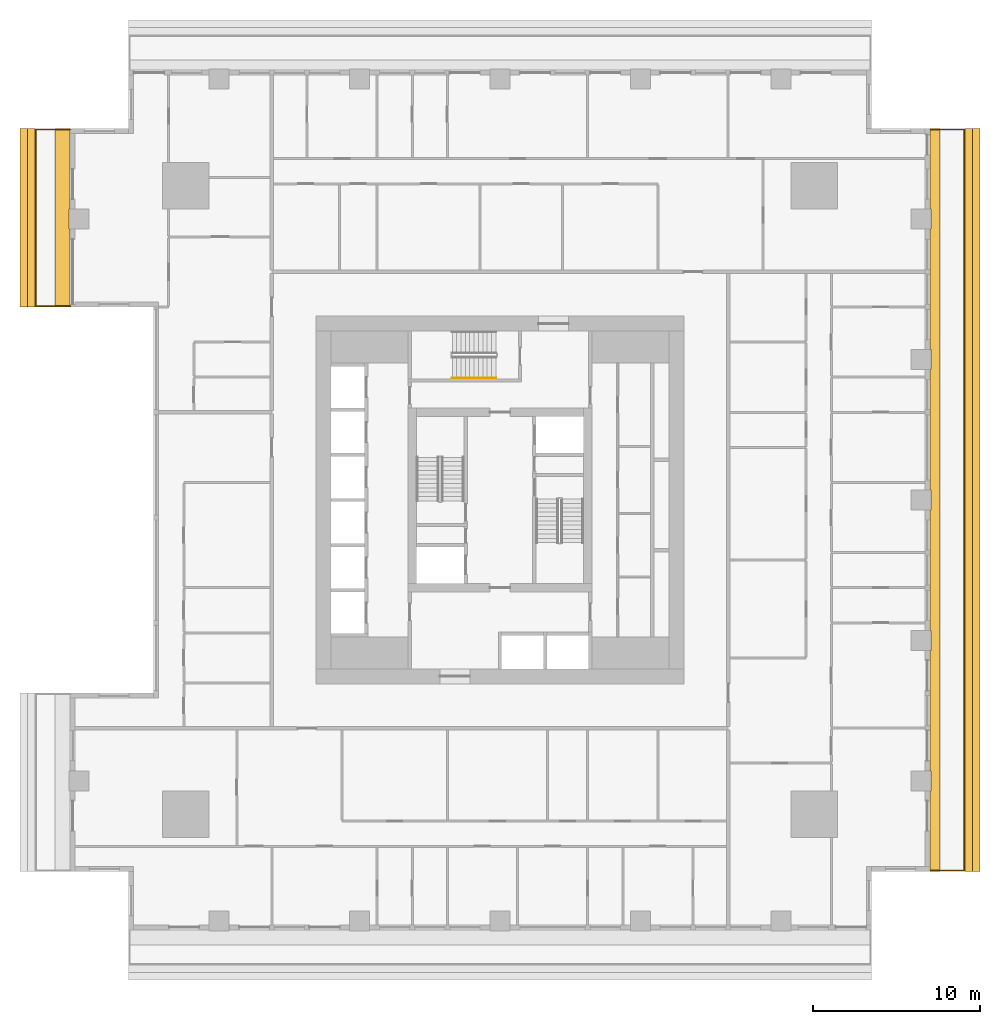
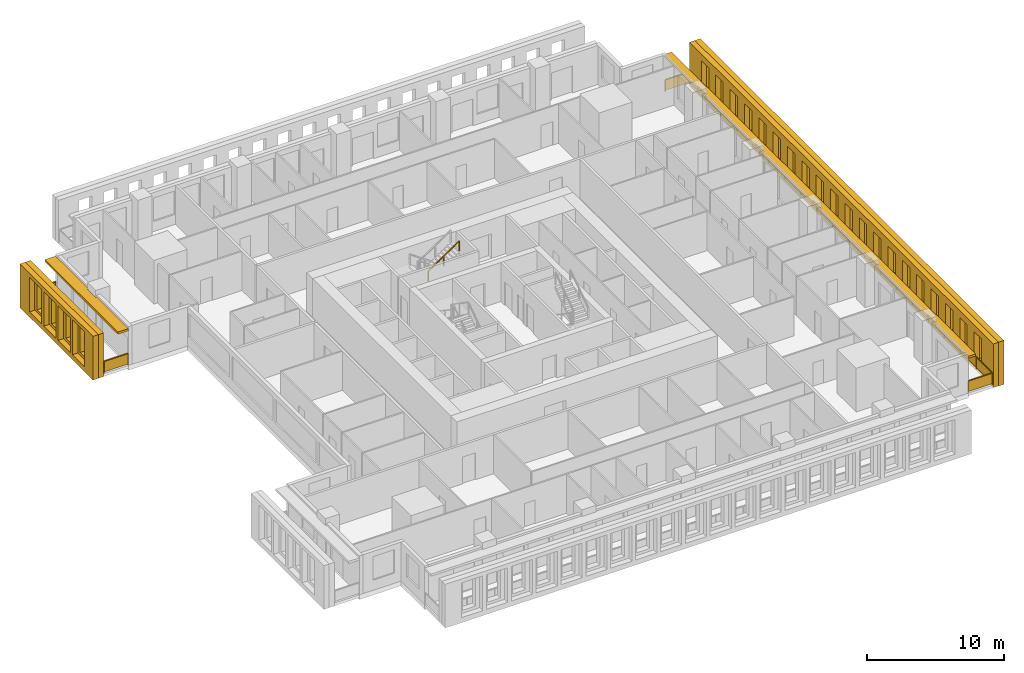
# One storey, part 12 of 14: 6 shading devices, 3 railings.
"""IFC4 building model written with IfcOpenShell, lengths in metres."""

from ifc_helpers import new_model, si_unit, direction, frame, origin, origin_2d, place, context, subcontext, project, spatial, polyline, rectangle, outline, extrude, material, layer, layer_set, type_object, element, save


model = new_model("IFC4")

# Units and contexts
model_context = context("Model", 3, precision=1e-05, world=origin(), true_north=direction((0.0, 1.0)))
body_context = subcontext(model_context, "Body", "Model", "MODEL_VIEW")
ifc_project = project(units=[si_unit("LENGTHUNIT", "METRE"), si_unit("AREAUNIT", "SQUARE_METRE"), si_unit("VOLUMEUNIT", "CUBIC_METRE"), si_unit("PLANEANGLEUNIT", "RADIAN"), si_unit("MASSUNIT", "GRAM", prefix="KILO")], contexts=[model_context])

# Site, building, storey
site_placement = place(None, origin())
site = spatial("IfcSite", under=ifc_project, at=site_placement, CompositionType="ELEMENT")
building_placement = place(site_placement, origin())
building = spatial("IfcBuilding", under=site, at=building_placement, Name="Khepri Terraces", CompositionType="ELEMENT")
storey_placement = place(building_placement, frame((0.0, 0.0, 114.300048828125)))
storey = spatial("IfcBuildingStorey", under=building, at=storey_placement, Name="L27", CompositionType="ELEMENT", Elevation=114.300048828125)

# Railings
ifc_material_1 = material(Name="Stainless steel grade 316", Category="steel")
railing_type_1 = type_object("IfcRailingType", Name="GRD-BAL-1100", PredefinedType="GUARDRAIL", material=ifc_material_1)
railing_1_placement = place(storey_placement, frame((25.719970703125, -22.169921875, 0.0)))
element("IfcRailing", 1, at=railing_1_placement, inside=storey, type_object=railing_type_1, Name="Balcony guard L27 E", PredefinedType="GUARDRAIL", context=body_context, shape_type="SweptSolid", body=[
    extrude(rectangle(XDim=0.050048828125, YDim=0.06005859375, at=origin_2d()), frame((0.0, 0.0, 1.070068359375), z_axis=(1.0, 0.0, 0.0), x_axis=(0.0, 1.0, 0.0)), (0.0, 0.0, 1.0), 2.050048828125),
    extrude(rectangle(XDim=2.0, YDim=0.011962890625, at=origin_2d()), frame((1.02490234375, 0.0, 0.10009765625), z_axis=(0.0, 0.0, 1.0), x_axis=(1.0, 0.0, 0.0)), (0.0, 0.0, 1.0), 0.93994140625),
    extrude(rectangle(XDim=0.050048828125, YDim=0.06005859375, at=origin_2d()), frame((2.050048828125, 0.0, 1.070068359375), z_axis=(0.0, 1.0, 0.0), x_axis=(-1.0, 0.0, 0.0)), (0.0, 0.0, 1.0), 44.33984375),
    extrude(rectangle(XDim=2.28369140625, YDim=0.011962890625, at=origin_2d()), frame((2.050048828125, 1.166748046875, 0.10009765625), z_axis=(0.0, 0.0, 1.0), x_axis=(0.0, 1.0, 0.0)), (0.0, 0.0, 1.0), 0.93994140625),
    extrude(rectangle(XDim=2.28369140625, YDim=0.011962890625, at=origin_2d()), frame((2.050048828125, 3.50048828125, 0.10009765625), z_axis=(0.0, 0.0, 1.0), x_axis=(0.0, 1.0, 0.0)), (0.0, 0.0, 1.0), 0.93994140625),
    extrude(rectangle(XDim=2.28369140625, YDim=0.011962890625, at=origin_2d()), frame((2.050048828125, 5.834228515625, 0.10009765625), z_axis=(0.0, 0.0, 1.0), x_axis=(0.0, 1.0, 0.0)), (0.0, 0.0, 1.0), 0.93994140625),
    extrude(rectangle(XDim=2.28369140625, YDim=0.011962890625, at=origin_2d()), frame((2.050048828125, 8.16796875, 0.10009765625), z_axis=(0.0, 0.0, 1.0), x_axis=(0.0, 1.0, 0.0)), (0.0, 0.0, 1.0), 0.93994140625),
    extrude(rectangle(XDim=2.28369140625, YDim=0.011962890625, at=origin_2d()), frame((2.050048828125, 10.50146484375, 0.10009765625), z_axis=(0.0, 0.0, 1.0), x_axis=(0.0, 1.0, 0.0)), (0.0, 0.0, 1.0), 0.93994140625),
    extrude(rectangle(XDim=2.28369140625, YDim=0.011962890625, at=origin_2d()), frame((2.050048828125, 12.835205078125, 0.10009765625), z_axis=(0.0, 0.0, 1.0), x_axis=(0.0, 1.0, 0.0)), (0.0, 0.0, 1.0), 0.93994140625),
    extrude(rectangle(XDim=2.28369140625, YDim=0.011962890625, at=origin_2d()), frame((2.050048828125, 15.1689453125, 0.10009765625), z_axis=(0.0, 0.0, 1.0), x_axis=(0.0, 1.0, 0.0)), (0.0, 0.0, 1.0), 0.93994140625),
    extrude(rectangle(XDim=2.28369140625, YDim=0.011962890625, at=origin_2d()), frame((2.050048828125, 17.502685546875, 0.10009765625), z_axis=(0.0, 0.0, 1.0), x_axis=(0.0, 1.0, 0.0)), (0.0, 0.0, 1.0), 0.93994140625),
    extrude(rectangle(XDim=2.28369140625, YDim=0.011962890625, at=origin_2d()), frame((2.050048828125, 19.836181640625, 0.10009765625), z_axis=(0.0, 0.0, 1.0), x_axis=(0.0, 1.0, 0.0)), (0.0, 0.0, 1.0), 0.93994140625),
    extrude(rectangle(XDim=2.28369140625, YDim=0.011962890625, at=origin_2d()), frame((2.050048828125, 22.169921875, 0.10009765625), z_axis=(0.0, 0.0, 1.0), x_axis=(0.0, 1.0, 0.0)), (0.0, 0.0, 1.0), 0.93994140625),
    extrude(rectangle(XDim=2.28369140625, YDim=0.011962890625, at=origin_2d()), frame((2.050048828125, 24.503662109375, 0.10009765625), z_axis=(0.0, 0.0, 1.0), x_axis=(0.0, 1.0, 0.0)), (0.0, 0.0, 1.0), 0.93994140625),
    extrude(rectangle(XDim=2.28369140625, YDim=0.011962890625, at=origin_2d()), frame((2.050048828125, 26.837158203125, 0.10009765625), z_axis=(0.0, 0.0, 1.0), x_axis=(0.0, 1.0, 0.0)), (0.0, 0.0, 1.0), 0.93994140625),
    extrude(rectangle(XDim=2.28369140625, YDim=0.011962890625, at=origin_2d()), frame((2.050048828125, 29.1708984375, 0.10009765625), z_axis=(0.0, 0.0, 1.0), x_axis=(0.0, 1.0, 0.0)), (0.0, 0.0, 1.0), 0.93994140625),
    extrude(rectangle(XDim=2.28369140625, YDim=0.011962890625, at=origin_2d()), frame((2.050048828125, 31.504638671875, 0.10009765625), z_axis=(0.0, 0.0, 1.0), x_axis=(0.0, 1.0, 0.0)), (0.0, 0.0, 1.0), 0.93994140625),
    extrude(rectangle(XDim=2.28369140625, YDim=0.011962890625, at=origin_2d()), frame((2.050048828125, 33.83837890625, 0.10009765625), z_axis=(0.0, 0.0, 1.0), x_axis=(0.0, 1.0, 0.0)), (0.0, 0.0, 1.0), 0.93994140625),
    extrude(rectangle(XDim=2.28369140625, YDim=0.011962890625, at=origin_2d()), frame((2.050048828125, 36.171875, 0.10009765625), z_axis=(0.0, 0.0, 1.0), x_axis=(0.0, 1.0, 0.0)), (0.0, 0.0, 1.0), 0.93994140625),
    extrude(rectangle(XDim=2.28369140625, YDim=0.011962890625, at=origin_2d()), frame((2.050048828125, 38.505615234375, 0.10009765625), z_axis=(0.0, 0.0, 1.0), x_axis=(0.0, 1.0, 0.0)), (0.0, 0.0, 1.0), 0.93994140625),
    extrude(rectangle(XDim=2.28369140625, YDim=0.011962890625, at=origin_2d()), frame((2.050048828125, 40.83935546875, 0.10009765625), z_axis=(0.0, 0.0, 1.0), x_axis=(0.0, 1.0, 0.0)), (0.0, 0.0, 1.0), 0.93994140625),
    extrude(rectangle(XDim=2.28369140625, YDim=0.011962890625, at=origin_2d()), frame((2.050048828125, 43.173095703125, 0.10009765625), z_axis=(0.0, 0.0, 1.0), x_axis=(0.0, 1.0, 0.0)), (0.0, 0.0, 1.0), 0.93994140625),
    extrude(rectangle(XDim=0.050048828125, YDim=0.06005859375, at=origin_2d()), frame((2.050048828125, 44.33984375, 1.070068359375), z_axis=(-1.0, 0.0, 0.0), x_axis=(0.0, -1.0, 0.0)), (0.0, 0.0, 1.0), 2.050048828125),
    extrude(rectangle(XDim=2.0, YDim=0.011962890625, at=origin_2d()), frame((1.02490234375, 44.33984375, 0.10009765625), z_axis=(0.0, 0.0, 1.0), x_axis=(-1.0, 0.0, 0.0)), (0.0, 0.0, 1.0), 0.93994140625),
    extrude(rectangle(XDim=0.050048828125, YDim=0.050048828125, at=origin_2d()), origin(), (0.0, 0.0, 1.0), 1.0400390625),
    extrude(rectangle(XDim=0.050048828125, YDim=0.050048828125, at=origin_2d()), frame((2.050048828125, 0.0, 0.0)), (0.0, 0.0, 1.0), 1.0400390625),
    extrude(rectangle(XDim=0.050048828125, YDim=0.050048828125, at=origin_2d()), frame((2.050048828125, 2.333740234375, 0.0)), (0.0, 0.0, 1.0), 1.0400390625),
    extrude(rectangle(XDim=0.050048828125, YDim=0.050048828125, at=origin_2d()), frame((2.050048828125, 4.667236328125, 0.0)), (0.0, 0.0, 1.0), 1.0400390625),
    extrude(rectangle(XDim=0.050048828125, YDim=0.050048828125, at=origin_2d()), frame((2.050048828125, 7.0009765625, 0.0)), (0.0, 0.0, 1.0), 1.0400390625),
    extrude(rectangle(XDim=0.050048828125, YDim=0.050048828125, at=origin_2d()), frame((2.050048828125, 9.334716796875, 0.0)), (0.0, 0.0, 1.0), 1.0400390625),
    extrude(rectangle(XDim=0.050048828125, YDim=0.050048828125, at=origin_2d()), frame((2.050048828125, 11.66845703125, 0.0)), (0.0, 0.0, 1.0), 1.0400390625),
    extrude(rectangle(XDim=0.050048828125, YDim=0.050048828125, at=origin_2d()), frame((2.050048828125, 14.001953125, 0.0)), (0.0, 0.0, 1.0), 1.0400390625),
    extrude(rectangle(XDim=0.050048828125, YDim=0.050048828125, at=origin_2d()), frame((2.050048828125, 16.335693359375, 0.0)), (0.0, 0.0, 1.0), 1.0400390625),
    extrude(rectangle(XDim=0.050048828125, YDim=0.050048828125, at=origin_2d()), frame((2.050048828125, 18.66943359375, 0.0)), (0.0, 0.0, 1.0), 1.0400390625),
    extrude(rectangle(XDim=0.050048828125, YDim=0.050048828125, at=origin_2d()), frame((2.050048828125, 21.003173828125, 0.0)), (0.0, 0.0, 1.0), 1.0400390625),
    extrude(rectangle(XDim=0.050048828125, YDim=0.050048828125, at=origin_2d()), frame((2.050048828125, 23.336669921875, 0.0)), (0.0, 0.0, 1.0), 1.0400390625),
    extrude(rectangle(XDim=0.050048828125, YDim=0.050048828125, at=origin_2d()), frame((2.050048828125, 25.67041015625, 0.0)), (0.0, 0.0, 1.0), 1.0400390625),
    extrude(rectangle(XDim=0.050048828125, YDim=0.050048828125, at=origin_2d()), frame((2.050048828125, 28.004150390625, 0.0)), (0.0, 0.0, 1.0), 1.0400390625),
    extrude(rectangle(XDim=0.050048828125, YDim=0.050048828125, at=origin_2d()), frame((2.050048828125, 30.337890625, 0.0)), (0.0, 0.0, 1.0), 1.0400390625),
    extrude(rectangle(XDim=0.050048828125, YDim=0.050048828125, at=origin_2d()), frame((2.050048828125, 32.67138671875, 0.0)), (0.0, 0.0, 1.0), 1.0400390625),
    extrude(rectangle(XDim=0.050048828125, YDim=0.050048828125, at=origin_2d()), frame((2.050048828125, 35.005126953125, 0.0)), (0.0, 0.0, 1.0), 1.0400390625),
    extrude(rectangle(XDim=0.050048828125, YDim=0.050048828125, at=origin_2d()), frame((2.050048828125, 37.3388671875, 0.0)), (0.0, 0.0, 1.0), 1.0400390625),
    extrude(rectangle(XDim=0.050048828125, YDim=0.050048828125, at=origin_2d()), frame((2.050048828125, 39.672607421875, 0.0)), (0.0, 0.0, 1.0), 1.0400390625),
    extrude(rectangle(XDim=0.050048828125, YDim=0.050048828125, at=origin_2d()), frame((2.050048828125, 42.006103515625, 0.0)), (0.0, 0.0, 1.0), 1.0400390625),
    extrude(rectangle(XDim=0.050048828125, YDim=0.050048828125, at=origin_2d()), frame((2.050048828125, 44.33984375, 0.0)), (0.0, 0.0, 1.0), 1.0400390625),
    extrude(rectangle(XDim=0.050048828125, YDim=0.050048828125, at=origin_2d()), frame((0.0, 44.33984375, 0.0)), (0.0, 0.0, 1.0), 1.0400390625),
])
railing_2_placement = place(storey_placement, frame((-25.719970703125, 22.169921875, 0.0)))
element("IfcRailing", 2, at=railing_2_placement, inside=storey, type_object=railing_type_1, Name="Balcony guard L27 W", PredefinedType="GUARDRAIL", context=body_context, shape_type="SweptSolid", body=[
    extrude(rectangle(XDim=0.050048828125, YDim=0.06005859375, at=origin_2d()), frame((0.0, 0.0, 1.070068359375), z_axis=(-1.0, 0.0, 0.0), x_axis=(0.0, -1.0, 0.0)), (0.0, 0.0, 1.0), 2.050048828125),
    extrude(rectangle(XDim=2.0, YDim=0.011962890625, at=origin_2d()), frame((-1.02490234375, 0.0, 0.10009765625), z_axis=(0.0, 0.0, 1.0), x_axis=(-1.0, 0.0, 0.0)), (0.0, 0.0, 1.0), 0.93994140625),
    extrude(rectangle(XDim=0.050048828125, YDim=0.06005859375, at=origin_2d()), frame((-2.050048828125, 0.0, 1.070068359375), z_axis=(0.0, -1.0, 0.0), x_axis=(1.0, 0.0, 0.0)), (0.0, 0.0, 1.0), 10.56982421875),
    extrude(rectangle(XDim=2.06396484375, YDim=0.011962890625, at=origin_2d()), frame((-2.050048828125, -1.056884765625, 0.10009765625), z_axis=(0.0, 0.0, 1.0), x_axis=(0.0, -1.0, 0.0)), (0.0, 0.0, 1.0), 0.93994140625),
    extrude(rectangle(XDim=2.06396484375, YDim=0.011962890625, at=origin_2d()), frame((-2.050048828125, -3.1708984375, 0.10009765625), z_axis=(0.0, 0.0, 1.0), x_axis=(0.0, -1.0, 0.0)), (0.0, 0.0, 1.0), 0.93994140625),
    extrude(rectangle(XDim=2.06396484375, YDim=0.011962890625, at=origin_2d()), frame((-2.050048828125, -5.284912109375, 0.10009765625), z_axis=(0.0, 0.0, 1.0), x_axis=(0.0, -1.0, 0.0)), (0.0, 0.0, 1.0), 0.93994140625),
    extrude(rectangle(XDim=2.06396484375, YDim=0.011962890625, at=origin_2d()), frame((-2.050048828125, -7.39892578125, 0.10009765625), z_axis=(0.0, 0.0, 1.0), x_axis=(0.0, -1.0, 0.0)), (0.0, 0.0, 1.0), 0.93994140625),
    extrude(rectangle(XDim=2.06396484375, YDim=0.011962890625, at=origin_2d()), frame((-2.050048828125, -9.512939453125, 0.10009765625), z_axis=(0.0, 0.0, 1.0), x_axis=(0.0, -1.0, 0.0)), (0.0, 0.0, 1.0), 0.93994140625),
    extrude(rectangle(XDim=0.050048828125, YDim=0.06005859375, at=origin_2d()), frame((-2.050048828125, -10.56982421875, 1.070068359375), z_axis=(1.0, 0.0, 0.0), x_axis=(0.0, 1.0, 0.0)), (0.0, 0.0, 1.0), 2.050048828125),
    extrude(rectangle(XDim=2.0, YDim=0.011962890625, at=origin_2d()), frame((-1.02490234375, -10.56982421875, 0.10009765625), z_axis=(0.0, 0.0, 1.0), x_axis=(1.0, 0.0, 0.0)), (0.0, 0.0, 1.0), 0.93994140625),
    extrude(rectangle(XDim=0.050048828125, YDim=0.050048828125, at=origin_2d()), origin(), (0.0, 0.0, 1.0), 1.0400390625),
    extrude(rectangle(XDim=0.050048828125, YDim=0.050048828125, at=origin_2d()), frame((-2.050048828125, 0.0, 0.0)), (0.0, 0.0, 1.0), 1.0400390625),
    extrude(rectangle(XDim=0.050048828125, YDim=0.050048828125, at=origin_2d()), frame((-2.050048828125, -2.114013671875, 0.0)), (0.0, 0.0, 1.0), 1.0400390625),
    extrude(rectangle(XDim=0.050048828125, YDim=0.050048828125, at=origin_2d()), frame((-2.050048828125, -4.22802734375, 0.0)), (0.0, 0.0, 1.0), 1.0400390625),
    extrude(rectangle(XDim=0.050048828125, YDim=0.050048828125, at=origin_2d()), frame((-2.050048828125, -6.341796875, 0.0)), (0.0, 0.0, 1.0), 1.0400390625),
    extrude(rectangle(XDim=0.050048828125, YDim=0.050048828125, at=origin_2d()), frame((-2.050048828125, -8.455810546875, 0.0)), (0.0, 0.0, 1.0), 1.0400390625),
    extrude(rectangle(XDim=0.050048828125, YDim=0.050048828125, at=origin_2d()), frame((-2.050048828125, -10.56982421875, 0.0)), (0.0, 0.0, 1.0), 1.0400390625),
    extrude(rectangle(XDim=0.050048828125, YDim=0.050048828125, at=origin_2d()), frame((0.0, -10.56982421875, 0.0)), (0.0, 0.0, 1.0), 1.0400390625),
])
ifc_material_2 = material(Name="Stainless steel 316", Category="steel")
railing_type_2 = type_object("IfcRailingType", Name="RL-CORE-HANDRAIL", PredefinedType="HANDRAIL", material=ifc_material_2)
railing_3_placement = place(storey_placement, frame((-2.85009765625, 7.300048828125, 2.127197265625)))
element("IfcRailing", 3, at=railing_3_placement, inside=storey, type_object=railing_type_2, Name="L27 ST-3 stair handrail 2", PredefinedType="HANDRAIL", context=body_context, shape_type="SweptSolid", body=[
    extrude(rectangle(XDim=0.050048828125, YDim=0.050048828125, at=origin_2d()), frame((0.0, 0.0, 0.875), z_axis=(0.826240473404, 0.0, 0.563317565952), x_axis=(0.0, 1.0, 0.0)), (0.0, 0.0, 1.0), 3.14697265625),
    extrude(rectangle(XDim=0.050048828125, YDim=0.050048828125, at=origin_2d()), origin(), (0.0, 0.0, 1.0), 0.849853515625),
    extrude(rectangle(XDim=0.050048828125, YDim=0.050048828125, at=origin_2d()), frame((1.300048828125, 0.0, 0.88623046875)), (0.0, 0.0, 1.0), 0.849853515625),
    extrude(rectangle(XDim=0.050048828125, YDim=0.050048828125, at=origin_2d()), frame((2.60009765625, 0.0, 1.772705078125)), (0.0, 0.0, 1.0), 0.849853515625),
])

# Shading devices
ifc_material_3 = material(Name="Precast concrete C50/60 warm stone", Category="masonry")
shading_device_type_1 = type_object("IfcShadingDeviceType", Name="SCR-CELL-INNER-450", PredefinedType="USERDEFINED", material=ifc_material_3)
shading_device_1_placement = place(storey_placement, frame((27.820068359375, -22.219970703125, -0.25), z_axis=(1.0, 0.0, 0.0), x_axis=(0.0, 1.0, 0.0)))
element("IfcShadingDevice", 4, at=shading_device_1_placement, inside=storey, type_object=shading_device_type_1, Name="Cell screen L27 E in", ObjectType="SCREEN", PredefinedType="USERDEFINED", context=body_context, shape_type="SweptSolid", body=[
    extrude(outline(polyline([(0.0, 0.0), (44.43994140625, 0.0), (44.43994140625, 3.89990234375), (0.0, 3.89990234375), (0.0, 0.0)]), holes=[polyline([(1.7265625, 0.699951171875), (2.8134765625, 0.699951171875), (2.8134765625, 3.300048828125), (1.7265625, 3.300048828125), (1.7265625, 0.699951171875)]), polyline([(3.82666015625, 0.699951171875), (4.913330078125, 0.699951171875), (4.913330078125, 3.300048828125), (3.82666015625, 3.300048828125), (3.82666015625, 0.699951171875)]), polyline([(5.926513671875, 0.699951171875), (7.013427734375, 0.699951171875), (7.013427734375, 3.300048828125), (5.926513671875, 3.300048828125), (5.926513671875, 0.699951171875)]), polyline([(8.026611328125, 0.699951171875), (9.11328125, 0.699951171875), (9.11328125, 3.300048828125), (8.026611328125, 3.300048828125), (8.026611328125, 0.699951171875)]), polyline([(10.126708984375, 0.699951171875), (11.21337890625, 0.699951171875), (11.21337890625, 3.300048828125), (10.126708984375, 3.300048828125), (10.126708984375, 0.699951171875)]), polyline([(12.2265625, 0.699951171875), (13.3134765625, 0.699951171875), (13.3134765625, 3.300048828125), (12.2265625, 3.300048828125), (12.2265625, 0.699951171875)]), polyline([(14.32666015625, 0.699951171875), (15.413330078125, 0.699951171875), (15.413330078125, 3.300048828125), (14.32666015625, 3.300048828125), (14.32666015625, 0.699951171875)]), polyline([(16.426513671875, 0.699951171875), (17.513427734375, 0.699951171875), (17.513427734375, 3.300048828125), (16.426513671875, 3.300048828125), (16.426513671875, 0.699951171875)]), polyline([(18.526611328125, 0.699951171875), (19.61328125, 0.699951171875), (19.61328125, 3.300048828125), (18.526611328125, 3.300048828125), (18.526611328125, 0.699951171875)]), polyline([(20.626708984375, 0.699951171875), (21.71337890625, 0.699951171875), (21.71337890625, 3.300048828125), (20.626708984375, 3.300048828125), (20.626708984375, 0.699951171875)]), polyline([(22.7265625, 0.699951171875), (23.8134765625, 0.699951171875), (23.8134765625, 3.300048828125), (22.7265625, 3.300048828125), (22.7265625, 0.699951171875)]), polyline([(24.82666015625, 0.699951171875), (25.913330078125, 0.699951171875), (25.913330078125, 3.300048828125), (24.82666015625, 3.300048828125), (24.82666015625, 0.699951171875)]), polyline([(26.926513671875, 0.699951171875), (28.013427734375, 0.699951171875), (28.013427734375, 3.300048828125), (26.926513671875, 3.300048828125), (26.926513671875, 0.699951171875)]), polyline([(29.026611328125, 0.699951171875), (30.11328125, 0.699951171875), (30.11328125, 3.300048828125), (29.026611328125, 3.300048828125), (29.026611328125, 0.699951171875)]), polyline([(31.126708984375, 0.699951171875), (32.21337890625, 0.699951171875), (32.21337890625, 3.300048828125), (31.126708984375, 3.300048828125), (31.126708984375, 0.699951171875)]), polyline([(33.2265625, 0.699951171875), (34.3134765625, 0.699951171875), (34.3134765625, 3.300048828125), (33.2265625, 3.300048828125), (33.2265625, 0.699951171875)]), polyline([(35.32666015625, 0.699951171875), (36.413330078125, 0.699951171875), (36.413330078125, 3.300048828125), (35.32666015625, 3.300048828125), (35.32666015625, 0.699951171875)]), polyline([(37.426513671875, 0.699951171875), (38.513427734375, 0.699951171875), (38.513427734375, 3.300048828125), (37.426513671875, 3.300048828125), (37.426513671875, 0.699951171875)]), polyline([(39.526611328125, 0.699951171875), (40.61328125, 0.699951171875), (40.61328125, 3.300048828125), (39.526611328125, 3.300048828125), (39.526611328125, 0.699951171875)]), polyline([(41.626708984375, 0.699951171875), (42.71337890625, 0.699951171875), (42.71337890625, 3.300048828125), (41.626708984375, 3.300048828125), (41.626708984375, 0.699951171875)])]), origin(), (0.0, 0.0, 1.0), 0.449951171875),
])
shading_device_2_placement = place(storey_placement, frame((-27.820068359375, 22.219970703125, -0.25), z_axis=(-1.0, 0.0, 0.0), x_axis=(0.0, -1.0, 0.0)))
element("IfcShadingDevice", 5, at=shading_device_2_placement, inside=storey, type_object=shading_device_type_1, Name="Cell screen L27 W in", ObjectType="SCREEN", PredefinedType="USERDEFINED", context=body_context, shape_type="SweptSolid", body=[
    extrude(outline(polyline([(0.0, 0.0), (10.669921875, 0.0), (10.669921875, 3.89990234375), (0.0, 3.89990234375), (0.0, 0.0)]), holes=[polyline([(1.7265625, 0.699951171875), (2.8134765625, 0.699951171875), (2.8134765625, 3.300048828125), (1.7265625, 3.300048828125), (1.7265625, 0.699951171875)]), polyline([(3.82666015625, 0.699951171875), (4.913330078125, 0.699951171875), (4.913330078125, 3.300048828125), (3.82666015625, 3.300048828125), (3.82666015625, 0.699951171875)]), polyline([(5.926513671875, 0.699951171875), (7.013427734375, 0.699951171875), (7.013427734375, 3.300048828125), (5.926513671875, 3.300048828125), (5.926513671875, 0.699951171875)]), polyline([(8.026611328125, 0.699951171875), (9.11328125, 0.699951171875), (9.11328125, 3.300048828125), (8.026611328125, 3.300048828125), (8.026611328125, 0.699951171875)])]), origin(), (0.0, 0.0, 1.0), 0.449951171875),
])
shading_device_type_2 = type_object("IfcShadingDeviceType", Name="SCR-CELL-OUTER-450", PredefinedType="USERDEFINED", material=ifc_material_3)
shading_device_3_placement = place(storey_placement, frame((28.27001953125, -22.219970703125, -0.25), z_axis=(1.0, 0.0, 0.0), x_axis=(0.0, 1.0, 0.0)))
element("IfcShadingDevice", 6, at=shading_device_3_placement, inside=storey, type_object=shading_device_type_2, Name="Cell screen L27 E out", ObjectType="SCREEN", PredefinedType="USERDEFINED", context=body_context, shape_type="SweptSolid", body=[
    extrude(outline(polyline([(0.0, 0.0), (44.43994140625, 0.0), (44.43994140625, 3.89990234375), (0.0, 3.89990234375), (0.0, 0.0)]), holes=[polyline([(1.376708984375, 0.449951171875), (3.163330078125, 0.449951171875), (3.163330078125, 3.550048828125), (1.376708984375, 3.550048828125), (1.376708984375, 0.449951171875)]), polyline([(3.4765625, 0.449951171875), (5.263427734375, 0.449951171875), (5.263427734375, 3.550048828125), (3.4765625, 3.550048828125), (3.4765625, 0.449951171875)]), polyline([(5.57666015625, 0.449951171875), (7.36328125, 0.449951171875), (7.36328125, 3.550048828125), (5.57666015625, 3.550048828125), (5.57666015625, 0.449951171875)]), polyline([(7.676513671875, 0.449951171875), (9.46337890625, 0.449951171875), (9.46337890625, 3.550048828125), (7.676513671875, 3.550048828125), (7.676513671875, 0.449951171875)]), polyline([(9.776611328125, 0.449951171875), (11.5634765625, 0.449951171875), (11.5634765625, 3.550048828125), (9.776611328125, 3.550048828125), (9.776611328125, 0.449951171875)]), polyline([(11.876708984375, 0.449951171875), (13.663330078125, 0.449951171875), (13.663330078125, 3.550048828125), (11.876708984375, 3.550048828125), (11.876708984375, 0.449951171875)]), polyline([(13.9765625, 0.449951171875), (15.763427734375, 0.449951171875), (15.763427734375, 3.550048828125), (13.9765625, 3.550048828125), (13.9765625, 0.449951171875)]), polyline([(16.07666015625, 0.449951171875), (17.86328125, 0.449951171875), (17.86328125, 3.550048828125), (16.07666015625, 3.550048828125), (16.07666015625, 0.449951171875)]), polyline([(18.176513671875, 0.449951171875), (19.96337890625, 0.449951171875), (19.96337890625, 3.550048828125), (18.176513671875, 3.550048828125), (18.176513671875, 0.449951171875)]), polyline([(20.276611328125, 0.449951171875), (22.0634765625, 0.449951171875), (22.0634765625, 3.550048828125), (20.276611328125, 3.550048828125), (20.276611328125, 0.449951171875)]), polyline([(22.376708984375, 0.449951171875), (24.163330078125, 0.449951171875), (24.163330078125, 3.550048828125), (22.376708984375, 3.550048828125), (22.376708984375, 0.449951171875)]), polyline([(24.4765625, 0.449951171875), (26.263427734375, 0.449951171875), (26.263427734375, 3.550048828125), (24.4765625, 3.550048828125), (24.4765625, 0.449951171875)]), polyline([(26.57666015625, 0.449951171875), (28.36328125, 0.449951171875), (28.36328125, 3.550048828125), (26.57666015625, 3.550048828125), (26.57666015625, 0.449951171875)]), polyline([(28.676513671875, 0.449951171875), (30.46337890625, 0.449951171875), (30.46337890625, 3.550048828125), (28.676513671875, 3.550048828125), (28.676513671875, 0.449951171875)]), polyline([(30.776611328125, 0.449951171875), (32.5634765625, 0.449951171875), (32.5634765625, 3.550048828125), (30.776611328125, 3.550048828125), (30.776611328125, 0.449951171875)]), polyline([(32.876708984375, 0.449951171875), (34.663330078125, 0.449951171875), (34.663330078125, 3.550048828125), (32.876708984375, 3.550048828125), (32.876708984375, 0.449951171875)]), polyline([(34.9765625, 0.449951171875), (36.763427734375, 0.449951171875), (36.763427734375, 3.550048828125), (34.9765625, 3.550048828125), (34.9765625, 0.449951171875)]), polyline([(37.07666015625, 0.449951171875), (38.86328125, 0.449951171875), (38.86328125, 3.550048828125), (37.07666015625, 3.550048828125), (37.07666015625, 0.449951171875)]), polyline([(39.176513671875, 0.449951171875), (40.96337890625, 0.449951171875), (40.96337890625, 3.550048828125), (39.176513671875, 3.550048828125), (39.176513671875, 0.449951171875)]), polyline([(41.276611328125, 0.449951171875), (43.0634765625, 0.449951171875), (43.0634765625, 3.550048828125), (41.276611328125, 3.550048828125), (41.276611328125, 0.449951171875)])]), origin(), (0.0, 0.0, 1.0), 0.449951171875),
])
shading_device_4_placement = place(storey_placement, frame((-28.27001953125, 22.219970703125, -0.25), z_axis=(-1.0, 0.0, 0.0), x_axis=(0.0, -1.0, 0.0)))
element("IfcShadingDevice", 7, at=shading_device_4_placement, inside=storey, type_object=shading_device_type_2, Name="Cell screen L27 W out", ObjectType="SCREEN", PredefinedType="USERDEFINED", context=body_context, shape_type="SweptSolid", body=[
    extrude(outline(polyline([(0.0, 0.0), (10.669921875, 0.0), (10.669921875, 3.89990234375), (0.0, 3.89990234375), (0.0, 0.0)]), holes=[polyline([(1.376708984375, 0.449951171875), (3.163330078125, 0.449951171875), (3.163330078125, 3.550048828125), (1.376708984375, 3.550048828125), (1.376708984375, 0.449951171875)]), polyline([(3.4765625, 0.449951171875), (5.263427734375, 0.449951171875), (5.263427734375, 3.550048828125), (3.4765625, 3.550048828125), (3.4765625, 0.449951171875)]), polyline([(5.57666015625, 0.449951171875), (7.36328125, 0.449951171875), (7.36328125, 3.550048828125), (5.57666015625, 3.550048828125), (5.57666015625, 0.449951171875)]), polyline([(7.676513671875, 0.449951171875), (9.46337890625, 0.449951171875), (9.46337890625, 3.550048828125), (7.676513671875, 3.550048828125), (7.676513671875, 0.449951171875)])]), origin(), (0.0, 0.0, 1.0), 0.449951171875),
])
ifc_layer_1 = layer(ifc_material_3, 0.199951171875, Name="Precast concrete C50/60 warm stone", Category="masonry")
ifc_layer_set_1 = layer_set([ifc_layer_1], Name="Precast concrete C50/60 warm stone")
shading_device_type_3 = type_object("IfcShadingDeviceType", Name="SSH-BAND-STONE-200", PredefinedType="USERDEFINED", material=ifc_layer_set_1)
shading_device_5_placement = place(storey_placement, frame((0.0, 0.0, 3.099853515625)))
element("IfcShadingDevice", 8, at=shading_device_5_placement, inside=storey, type_object=shading_device_type_3, Name="Sunshade band L27 W", ObjectType="SUNSHADE", PredefinedType="USERDEFINED", context=body_context, shape_type="SweptSolid", body=[
    extrude(outline(polyline([(-25.719970703125, 17.39990234375), (-25.719970703125, 22.219970703125), (-26.6201171875, 22.219970703125), (-26.6201171875, 11.550048828125), (-25.719970703125, 11.550048828125), (-25.719970703125, 16.199951171875), (-25.800048828125, 16.199951171875), (-25.800048828125, 17.39990234375), (-25.719970703125, 17.39990234375)])), origin(), (0.0, 0.0, 1.0), 0.2001953125),
])
ifc_layer_2 = layer(ifc_material_3, 0.199951171875, Name="Precast concrete C50/60 warm stone", Category="masonry")
ifc_layer_set_2 = layer_set([ifc_layer_2], Name="Precast concrete C50/60 warm stone")
shading_device_type_4 = type_object("IfcShadingDeviceType", Name="SSH-BAND-STONE-200-N", PredefinedType="USERDEFINED", material=ifc_layer_set_2)
shading_device_6_placement = place(storey_placement, frame((0.0, 0.0, 3.099853515625)))
element("IfcShadingDevice", 9, at=shading_device_6_placement, inside=storey, type_object=shading_device_type_4, Name="Sunshade band L27 E", ObjectType="SUNSHADE", PredefinedType="USERDEFINED", context=body_context, shape_type="SweptSolid", body=[
    extrude(outline(polyline([(25.719970703125, -17.39990234375), (25.719970703125, -22.219970703125), (26.320068359375, -22.219970703125), (26.320068359375, 22.219970703125), (25.719970703125, 22.219970703125), (25.719970703125, 17.39990234375), (25.800048828125, 17.39990234375), (25.800048828125, 16.199951171875), (25.719970703125, 16.199951171875), (25.719970703125, 9.0), (25.800048828125, 9.0), (25.800048828125, 7.800048828125), (25.719970703125, 7.800048828125), (25.719970703125, 0.60009765625), (25.800048828125, 0.60009765625), (25.800048828125, -0.60009765625), (25.719970703125, -0.60009765625), (25.719970703125, -7.800048828125), (25.800048828125, -7.800048828125), (25.800048828125, -9.0), (25.719970703125, -9.0), (25.719970703125, -16.199951171875), (25.800048828125, -16.199951171875), (25.800048828125, -17.39990234375), (25.719970703125, -17.39990234375)])), origin(), (0.0, 0.0, 1.0), 0.2001953125),
])

save(model, "model.ifc")
